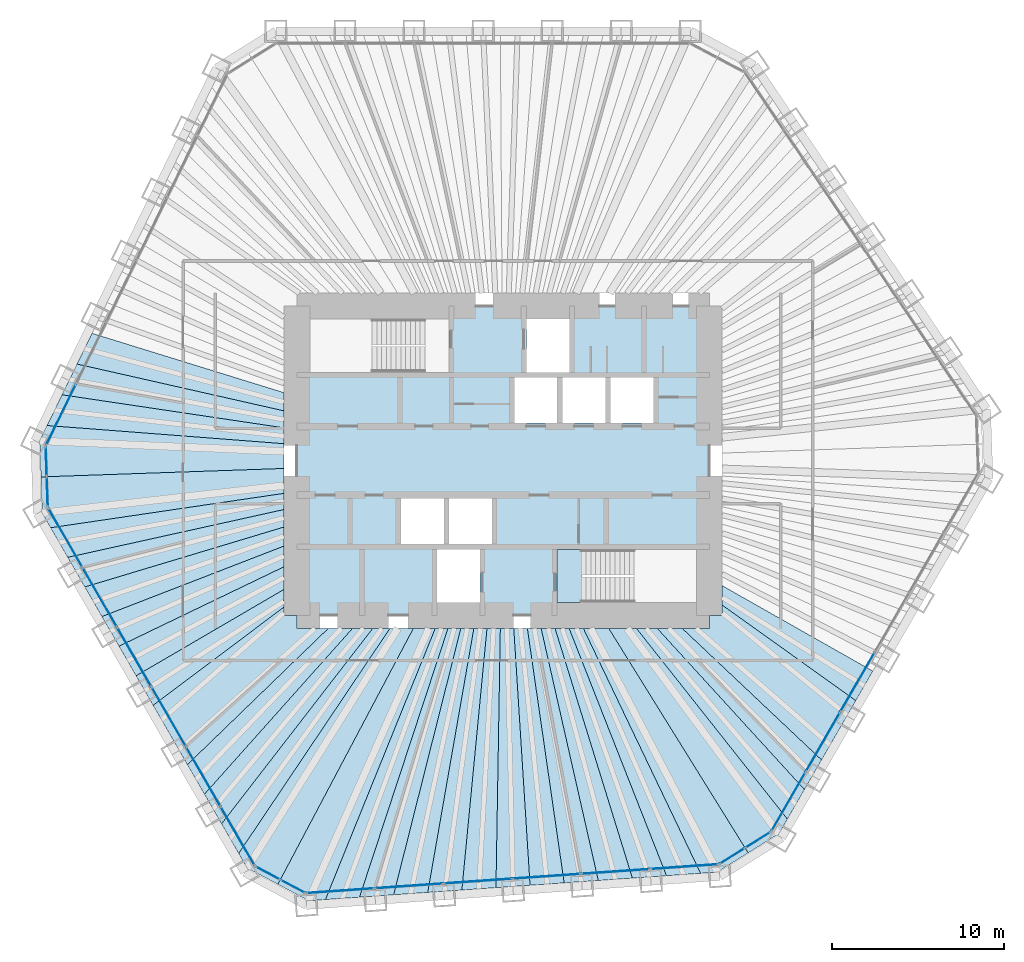
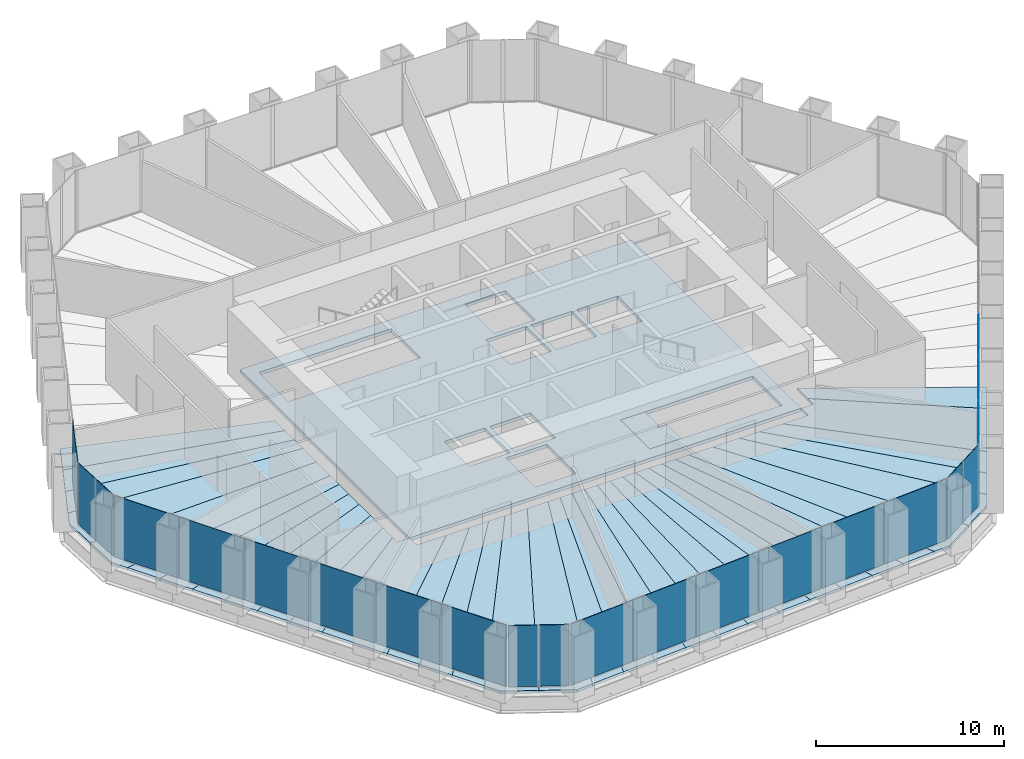
# One storey, part 8 of 13: 36 slabs, 22 plates, 8 elements without a shape of their own.
"""IFC4 building model written with IfcOpenShell, lengths in metres."""

import ifcopenshell
import ifcopenshell.guid

model = None  # the IFC model being written
_history = None  # IfcOwnerHistory: only IFC2X3 demands one
_inside = {}  # id of a spatial element -> (the spatial element, [elements in it])
_under = {}  # id of a project, library or spatial element -> (it, [spatial elements below it])
_declared = {}  # id of a project -> (the project, [libraries it declares])
_typed = {}  # id of a type object -> (the type object, [elements of that type])
_made_of = {}  # id of a material, layer set ... -> (it, [elements and type objects made of it])


def new_model(schema):
    """Start an empty IFC model of exactly this schema.

    Asked for "IFC4X3", IfcOpenShell would pick the latest addendum, in which some entities
    have other attributes; the version numbers below select the first issue.
    IFC2X3 requires an IfcOwnerHistory on every rooted entity: one is made here for all.
    """
    global model, _history
    if schema == "IFC4X3":
        model = ifcopenshell.file(schema_version=(4, 3, 0, 0))
    else:
        model = ifcopenshell.file(schema=schema)
    _inside.clear()
    _under.clear()
    _declared.clear()
    _typed.clear()
    _made_of.clear()
    _history = None
    if model.schema == "IFC2X3":
        org = make("IfcOrganization", Name="unknown")
        user = make(
            "IfcPersonAndOrganization",
            ThePerson=make("IfcPerson", FamilyName="unknown"),
            TheOrganization=org,
        )
        app = make(
            "IfcApplication",
            ApplicationDeveloper=org,
            Version="unknown",
            ApplicationFullName="unknown",
            ApplicationIdentifier="unknown",
        )
        _history = make(
            "IfcOwnerHistory",
            OwningUser=user,
            OwningApplication=app,
            ChangeAction="ADDED",
            CreationDate=0,
        )
    return model


def make(cls, **values):
    """One entity of the class cls with the attributes given. An attribute that is None is left unset."""
    return model.create_entity(
        cls, **{name: value for name, value in values.items() if value is not None}
    )


def rooted(cls, **values):
    """An entity with a GlobalId (a new one), such as an element, a storey or a relation."""
    return make(cls, GlobalId=ifcopenshell.guid.new(), OwnerHistory=_history, **values)


def si_unit(unit_type, name, prefix=None):
    """IfcSIUnit, for example si_unit("LENGTHUNIT", "METRE", prefix="MILLI")."""
    return make("IfcSIUnit", UnitType=unit_type, Prefix=prefix, Name=name)


def assignment(units):
    """IfcUnitAssignment: the units of a project."""
    return None if units is None else make("IfcUnitAssignment", Units=units)


def point(xyz):
    """IfcCartesianPoint."""
    return None if xyz is None else make("IfcCartesianPoint", Coordinates=xyz)


def direction(xyz):
    """IfcDirection."""
    return None if xyz is None else make("IfcDirection", DirectionRatios=xyz)


def frame(location, z_axis=None, x_axis=None):
    """IfcAxis2Placement3D, a coordinate frame: its origin and axes. An axis left out is left unset."""
    return make(
        "IfcAxis2Placement3D",
        Location=point(location),
        Axis=direction(z_axis),
        RefDirection=direction(x_axis),
    )


def frame_2d(location, x_axis=None):
    """IfcAxis2Placement2D, a coordinate frame in the plane: its origin and x axis."""
    return make(
        "IfcAxis2Placement2D", Location=point(location), RefDirection=direction(x_axis)
    )


def origin():
    """The frame at (0, 0, 0) with its axes left unset."""
    return frame((0.0, 0.0, 0.0))


def origin_2d():
    """The frame at (0, 0) in the plane with its x axis left unset."""
    return frame_2d((0.0, 0.0))


def place(relative_to, where):
    """IfcLocalPlacement: puts the frame where relative to a parent placement (None: the world)."""
    return make(
        "IfcLocalPlacement", PlacementRelTo=relative_to, RelativePlacement=where
    )


def context(
    kind, dimensions, precision=None, world=None, true_north=None, identifier=None
):
    """IfcGeometricRepresentationContext, for example the 3D "Model" context."""
    return make(
        "IfcGeometricRepresentationContext",
        ContextIdentifier=identifier,
        ContextType=kind,
        CoordinateSpaceDimension=dimensions,
        Precision=precision,
        WorldCoordinateSystem=world,
        TrueNorth=true_north,
    )


def subcontext(parent, identifier, kind, view, scale=None):
    """IfcGeometricRepresentationSubContext, for example "Body" below "Model"."""
    return make(
        "IfcGeometricRepresentationSubContext",
        ContextIdentifier=identifier,
        ContextType=kind,
        ParentContext=parent,
        TargetScale=scale,
        TargetView=view,
    )


def project(units=None, contexts=None):
    """IfcProject with its units and contexts."""
    return rooted(
        "IfcProject",
        Name="project",
        RepresentationContexts=contexts,
        UnitsInContext=assignment(units),
    )


def spatial(cls, under=None, at=None, **own):
    """A site, building, storey or space (cls), placed at a placement, below another one or the project."""
    s = rooted(cls, ObjectPlacement=at, **own)
    if under is not None:
        _under.setdefault(under.id(), (under, []))[1].append(s)
    return s


def polyline(points):
    """IfcPolyline through the points."""
    return make("IfcPolyline", Points=[point(p) for p in points])


def profile(cls, at=None, kind="AREA", **sizes):
    """A parametric profile (cls). Its sizes go by their IFC names, for example OverallWidth=200.0."""
    return make(cls, ProfileType=kind, Position=at, **sizes)


def rectangle(**sizes):
    """IfcRectangleProfileDef."""
    return profile("IfcRectangleProfileDef", **sizes)


def outline(outer, holes=None, kind="AREA"):
    """IfcArbitraryClosedProfileDef: a profile drawn as a closed curve; with holes, ...WithVoids."""
    if holes is None:
        return make("IfcArbitraryClosedProfileDef", ProfileType=kind, OuterCurve=outer)
    return make(
        "IfcArbitraryProfileDefWithVoids",
        ProfileType=kind,
        OuterCurve=outer,
        InnerCurves=holes,
    )


def extrude(swept, where, along, depth):
    """IfcExtrudedAreaSolid: the profile swept, set in the frame where, extruded along a direction by depth."""
    return make(
        "IfcExtrudedAreaSolid",
        SweptArea=swept,
        Position=where,
        ExtrudedDirection=direction(along),
        Depth=depth,
    )


def shape(context_of_items, identifier, shape_type, items):
    """IfcShapeRepresentation: the items that make up one representation, for example the "Body"."""
    return make(
        "IfcShapeRepresentation",
        ContextOfItems=context_of_items,
        RepresentationIdentifier=identifier,
        RepresentationType=shape_type,
        Items=items,
    )


def material(Name=None, Category=None):
    """IfcMaterial."""
    return make("IfcMaterial", Name=Name, Category=Category)


def layer(
    of_material, thickness, ventilated=None, Name=None, Category=None, Priority=None
):
    """IfcMaterialLayer: one layer of a wall or slab, of a material (None: an air gap)."""
    return make(
        "IfcMaterialLayer",
        Material=of_material,
        LayerThickness=thickness,
        IsVentilated=ventilated,
        Name=Name,
        Category=Category,
        Priority=Priority,
    )


def layer_set(layers, Name=None):
    """IfcMaterialLayerSet."""
    return make("IfcMaterialLayerSet", MaterialLayers=layers, LayerSetName=Name)


def made_of(thing, what):
    """Note that an element or type object is made of a material, layer set ...; save() writes the relation."""
    if what is not None:
        _made_of.setdefault(what.id(), (what, []))[1].append(thing)
    return thing


def type_object(cls, material=None, **own):
    """A type object (cls), such as IfcWallType, which elements share."""
    return made_of(rooted(cls, **own), material)


def element(
    cls,
    number,
    at=None,
    inside=None,
    cuts=None,
    type_object=None,
    material=None,
    context=None,
    identifier="Body",
    shape_type=None,
    held_by="IfcProductDefinitionShape",
    body=None,
    shapes=None,
    **own,
):
    """One element of the class cls, such as IfcWall. Its Tag is "e" and its number.

    at: its placement. inside: the storey or other place that contains it. cuts: it is an
    opening in that element (IfcRelVoidsElement). A single representation is given by context,
    identifier, shape_type and body (its items); several are given by shapes. held_by: the class
    of the entity that holds the representations. save() writes the other relations.
    """
    e = rooted(cls, Tag="e%d" % number, ObjectPlacement=at, **own)
    if body is not None:
        shapes = [shape(context, identifier, shape_type, body)]
    if shapes is not None:
        e.Representation = make(held_by, Representations=shapes)
    if inside is not None:
        _inside.setdefault(inside.id(), (inside, []))[1].append(e)
    if cuts is not None:
        rooted(
            "IfcRelVoidsElement", RelatingBuildingElement=cuts, RelatedOpeningElement=e
        )
    if type_object is not None:
        _typed.setdefault(type_object.id(), (type_object, []))[1].append(e)
    return made_of(e, material)


def aggregate(whole, parts):
    """IfcRelAggregates: a whole, such as a stair, and the parts it consists of."""
    return rooted("IfcRelAggregates", RelatingObject=whole, RelatedObjects=parts)


def save(model, path):
    """Write the relations noted so far, then the file.

    IfcRelAggregates (storeys below a building ...), IfcRelContainedInSpatialStructure (elements
    in a storey), IfcRelDefinesByType, IfcRelAssociatesMaterial and IfcRelDeclares: one each for
    every whole, place, type object, material and project.
    """
    for whole, parts in _under.values():
        aggregate(whole, parts)
    for where, things in _inside.values():
        rooted(
            "IfcRelContainedInSpatialStructure",
            RelatedElements=things,
            RelatingStructure=where,
        )
    for kind, things in _typed.values():
        rooted("IfcRelDefinesByType", RelatedObjects=things, RelatingType=kind)
    for what, things in _made_of.values():
        rooted("IfcRelAssociatesMaterial", RelatedObjects=things, RelatingMaterial=what)
    for by, libraries in _declared.values():
        rooted("IfcRelDeclares", RelatingContext=by, RelatedDefinitions=libraries)
    model.write(path)


model = new_model("IFC4")

# Units and contexts
model_context = context("Model", 3, precision=1e-05, world=origin(), true_north=direction((0.0, 1.0)))
body_context = subcontext(model_context, "Body", "Model", "MODEL_VIEW")
ifc_project = project(units=[si_unit("LENGTHUNIT", "METRE"), si_unit("AREAUNIT", "SQUARE_METRE"), si_unit("VOLUMEUNIT", "CUBIC_METRE"), si_unit("PLANEANGLEUNIT", "RADIAN"), si_unit("MASSUNIT", "GRAM", prefix="KILO")], contexts=[model_context])

# Site, building, storey
site_placement = place(None, origin())
site = spatial("IfcSite", under=ifc_project, at=site_placement, CompositionType="ELEMENT")
building_placement = place(site_placement, origin())
building = spatial("IfcBuilding", under=site, at=building_placement, Name="Qingtian Harvest Tower", CompositionType="ELEMENT")
storey_placement = place(building_placement, frame((0.0, 0.0, 132.39990234375)))
storey = spatial("IfcBuildingStorey", under=building, at=storey_placement, Name="L27", CompositionType="ELEMENT", Elevation=132.39990234375)

# Slabs
ifc_material_1 = material(Name="Concrete fc' 35 MPa", Category="concrete")
ifc_layer_1 = layer(ifc_material_1, 0.169921875)
ifc_layer_set_1 = layer_set([ifc_layer_1], Name="Composite floor slab FS17 170")
slab_type_1 = type_object("IfcSlabType", Name="Composite floor slab FS17 170", PredefinedType="FLOOR", material=ifc_layer_set_1)
slab_1_placement = place(storey_placement, frame((0.0, 0.0, -0.169921875)))
element("IfcSlab", 1, at=slab_1_placement, inside=storey, type_object=slab_type_1, Name="Floor slab L27 panel D01", PredefinedType="FLOOR", context=body_context, shape_type="SweptSolid", body=[
    extrude(outline(polyline([(-26.8935546875, -0.939208984375), (-12.75, -0.447998046875), (-12.75, -1.89599609375), (-26.333984375, -3.8984375), (-26.819580078125, -3.056884765625), (-26.8935546875, -0.939208984375)])), origin(), (0.0, 0.0, 1.0), 0.169921875),
])
slab_2_placement = place(storey_placement, frame((0.0, 0.0, -0.169921875)))
element("IfcSlab", 2, at=slab_2_placement, inside=storey, type_object=slab_type_1, Name="Floor slab L27 panel D02", PredefinedType="FLOOR", context=body_context, shape_type="SweptSolid", body=[
    extrude(outline(polyline([(-12.75, -2.838134765625), (-25.3388671875, -5.62158203125), (-26.333984375, -3.8984375), (-12.75, -1.89599609375), (-12.75, -2.838134765625)])), origin(), (0.0, 0.0, 1.0), 0.169921875),
])
slab_3_placement = place(storey_placement, frame((0.0, 0.0, -0.169921875)))
element("IfcSlab", 3, at=slab_3_placement, inside=storey, type_object=slab_type_1, Name="Floor slab L27 panel D03", PredefinedType="FLOOR", context=body_context, shape_type="SweptSolid", body=[
    extrude(outline(polyline([(-12.75, -3.857666015625), (-24.343994140625, -7.344970703125), (-25.3388671875, -5.62158203125), (-12.75, -2.838134765625), (-12.75, -3.857666015625)])), origin(), (0.0, 0.0, 1.0), 0.169921875),
])
slab_4_placement = place(storey_placement, frame((0.0, 0.0, -0.169921875)))
element("IfcSlab", 4, at=slab_4_placement, inside=storey, type_object=slab_type_1, Name="Floor slab L27 panel D04", PredefinedType="FLOOR", context=body_context, shape_type="SweptSolid", body=[
    extrude(outline(polyline([(-12.75, -4.9638671875), (-23.34912109375, -9.068115234375), (-24.343994140625, -7.344970703125), (-12.75, -3.857666015625), (-12.75, -4.9638671875)])), origin(), (0.0, 0.0, 1.0), 0.169921875),
])
slab_5_placement = place(storey_placement, frame((0.0, 0.0, -0.169921875)))
element("IfcSlab", 5, at=slab_5_placement, inside=storey, type_object=slab_type_1, Name="Floor slab L27 panel D05", PredefinedType="FLOOR", context=body_context, shape_type="SweptSolid", body=[
    extrude(outline(polyline([(-12.75, -6.1689453125), (-22.354248046875, -10.79150390625), (-23.34912109375, -9.068115234375), (-12.75, -4.9638671875), (-12.75, -6.1689453125)])), origin(), (0.0, 0.0, 1.0), 0.169921875),
])
slab_6_placement = place(storey_placement, frame((0.0, 0.0, -0.169921875)))
element("IfcSlab", 6, at=slab_6_placement, inside=storey, type_object=slab_type_1, Name="Floor slab L27 panel D06", PredefinedType="FLOOR", context=body_context, shape_type="SweptSolid", body=[
    extrude(outline(polyline([(-12.75, -7.486328125), (-21.359130859375, -12.5146484375), (-22.354248046875, -10.79150390625), (-12.75, -6.1689453125), (-12.75, -7.486328125)])), origin(), (0.0, 0.0, 1.0), 0.169921875),
])
slab_7_placement = place(storey_placement, frame((0.0, 0.0, -0.169921875)))
element("IfcSlab", 7, at=slab_7_placement, inside=storey, type_object=slab_type_1, Name="Floor slab L27 panel D07", PredefinedType="FLOOR", context=body_context, shape_type="SweptSolid", body=[
    extrude(outline(polyline([(-12.75, -8.512451171875), (-20.36865234375, -14.23046875), (-21.359130859375, -12.5146484375), (-12.75, -7.486328125), (-12.75, -8.512451171875)])), origin(), (0.0, 0.0, 1.0), 0.169921875),
])
slab_8_placement = place(storey_placement, frame((0.0, 0.0, -0.169921875)))
element("IfcSlab", 8, at=slab_8_placement, inside=storey, type_object=slab_type_1, Name="Floor slab L27 panel D09", PredefinedType="FLOOR", context=body_context, shape_type="SweptSolid", body=[
    extrude(outline(polyline([(-18.375, -17.683837890625), (-20.36865234375, -14.23046875), (-12.75, -8.512451171875), (-12.75, -9.0), (-12.0, -9.0), (-12.0, -9.75), (-10.168212890625, -9.75), (-18.375, -17.683837890625)])), origin(), (0.0, 0.0, 1.0), 0.169921875),
])
slab_9_placement = place(storey_placement, frame((0.0, 0.0, -0.169921875)))
element("IfcSlab", 9, at=slab_9_placement, inside=storey, type_object=slab_type_1, Name="Floor slab L27 panel D10", PredefinedType="FLOOR", context=body_context, shape_type="SweptSolid", body=[
    extrude(outline(polyline([(-8.759521484375, -9.75), (-17.3798828125, -19.4072265625), (-18.375, -17.683837890625), (-10.168212890625, -9.75), (-8.759521484375, -9.75)])), origin(), (0.0, 0.0, 1.0), 0.169921875),
])
slab_10_placement = place(storey_placement, frame((0.0, 0.0, -0.169921875)))
element("IfcSlab", 10, at=slab_10_placement, inside=storey, type_object=slab_type_1, Name="Floor slab L27 panel D11", PredefinedType="FLOOR", context=body_context, shape_type="SweptSolid", body=[
    extrude(outline(polyline([(-7.58203125, -9.75), (-16.385009765625, -21.13037109375), (-17.3798828125, -19.4072265625), (-8.759521484375, -9.75), (-7.58203125, -9.75)])), origin(), (0.0, 0.0, 1.0), 0.169921875),
])
slab_11_placement = place(storey_placement, frame((0.0, 0.0, -0.169921875)))
element("IfcSlab", 11, at=slab_11_placement, inside=storey, type_object=slab_type_1, Name="Floor slab L27 panel D12", PredefinedType="FLOOR", context=body_context, shape_type="SweptSolid", body=[
    extrude(outline(polyline([(-6.5830078125, -9.75), (-15.389892578125, -22.853759765625), (-16.385009765625, -21.13037109375), (-7.58203125, -9.75), (-6.5830078125, -9.75)])), origin(), (0.0, 0.0, 1.0), 0.169921875),
])
slab_12_placement = place(storey_placement, frame((0.0, 0.0, -0.169921875)))
element("IfcSlab", 12, at=slab_12_placement, inside=storey, type_object=slab_type_1, Name="Floor slab L27 panel D13", PredefinedType="FLOOR", context=body_context, shape_type="SweptSolid", body=[
    extrude(outline(polyline([(-6.5830078125, -9.75), (-5.21875, -9.75), (-13.107421875, -24.650634765625), (-14.904052734375, -23.6953125), (-15.389892578125, -22.853759765625), (-6.5830078125, -9.75)])), origin(), (0.0, 0.0, 1.0), 0.169921875),
])
slab_13_placement = place(storey_placement, frame((0.0, 0.0, -0.169921875)))
element("IfcSlab", 13, at=slab_13_placement, inside=storey, type_object=slab_type_1, Name="Floor slab L27 panel D14", PredefinedType="FLOOR", context=body_context, shape_type="SweptSolid", body=[
    extrude(outline(polyline([(-5.21875, -9.75), (-3.947021484375, -9.75), (-10.3408203125, -25.53857421875), (-11.31005859375, -25.606201171875), (-13.107421875, -24.650634765625), (-5.21875, -9.75)])), origin(), (0.0, 0.0, 1.0), 0.169921875),
])
slab_14_placement = place(storey_placement, frame((0.0, 0.0, -0.169921875)))
element("IfcSlab", 14, at=slab_14_placement, inside=storey, type_object=slab_type_1, Name="Floor slab L27 panel D15", PredefinedType="FLOOR", context=body_context, shape_type="SweptSolid", body=[
    extrude(outline(polyline([(-3.20654296875, -9.75), (-8.35595703125, -25.399658203125), (-10.3408203125, -25.53857421875), (-3.947021484375, -9.75), (-3.20654296875, -9.75)])), origin(), (0.0, 0.0, 1.0), 0.169921875),
])
slab_15_placement = place(storey_placement, frame((0.0, 0.0, -0.169921875)))
element("IfcSlab", 15, at=slab_15_placement, inside=storey, type_object=slab_type_1, Name="Floor slab L27 panel D16", PredefinedType="FLOOR", context=body_context, shape_type="SweptSolid", body=[
    extrude(outline(polyline([(-2.4580078125, -9.75), (-6.370849609375, -25.260986328125), (-8.35595703125, -25.399658203125), (-3.20654296875, -9.75), (-2.4580078125, -9.75)])), origin(), (0.0, 0.0, 1.0), 0.169921875),
])
slab_16_placement = place(storey_placement, frame((0.0, 0.0, -0.169921875)))
element("IfcSlab", 16, at=slab_16_placement, inside=storey, type_object=slab_type_1, Name="Floor slab L27 panel D17", PredefinedType="FLOOR", context=body_context, shape_type="SweptSolid", body=[
    extrude(outline(polyline([(-1.701171875, -9.75), (-4.385986328125, -25.1220703125), (-6.370849609375, -25.260986328125), (-2.4580078125, -9.75), (-1.701171875, -9.75)])), origin(), (0.0, 0.0, 1.0), 0.169921875),
])
slab_17_placement = place(storey_placement, frame((0.0, 0.0, -0.169921875)))
element("IfcSlab", 17, at=slab_17_placement, inside=storey, type_object=slab_type_1, Name="Floor slab L27 panel D18", PredefinedType="FLOOR", context=body_context, shape_type="SweptSolid", body=[
    extrude(outline(polyline([(-0.93603515625, -9.75), (-2.40087890625, -24.9833984375), (-4.385986328125, -25.1220703125), (-1.701171875, -9.75), (-0.93603515625, -9.75)])), origin(), (0.0, 0.0, 1.0), 0.169921875),
])
slab_18_placement = place(storey_placement, frame((0.0, 0.0, -0.169921875)))
element("IfcSlab", 18, at=slab_18_placement, inside=storey, type_object=slab_type_1, Name="Floor slab L27 panel D19", PredefinedType="FLOOR", context=body_context, shape_type="SweptSolid", body=[
    extrude(outline(polyline([(-0.162109375, -9.75), (-0.416015625, -24.844482421875), (-2.40087890625, -24.9833984375), (-0.93603515625, -9.75), (-0.162109375, -9.75)])), origin(), (0.0, 0.0, 1.0), 0.169921875),
])
slab_19_placement = place(storey_placement, frame((0.0, 0.0, -0.169921875)))
element("IfcSlab", 19, at=slab_19_placement, inside=storey, type_object=slab_type_1, Name="Floor slab L27 panel D20", PredefinedType="FLOOR", context=body_context, shape_type="SweptSolid", body=[
    extrude(outline(polyline([(0.620361328125, -9.75), (1.569091796875, -24.705810546875), (-0.416015625, -24.844482421875), (-0.162109375, -9.75), (0.620361328125, -9.75)])), origin(), (0.0, 0.0, 1.0), 0.169921875),
])
slab_20_placement = place(storey_placement, frame((0.0, 0.0, -0.169921875)))
element("IfcSlab", 20, at=slab_20_placement, inside=storey, type_object=slab_type_1, Name="Floor slab L27 panel D21", PredefinedType="FLOOR", context=body_context, shape_type="SweptSolid", body=[
    extrude(outline(polyline([(1.41162109375, -9.75), (3.553955078125, -24.56689453125), (1.569091796875, -24.705810546875), (0.620361328125, -9.75), (1.41162109375, -9.75)])), origin(), (0.0, 0.0, 1.0), 0.169921875),
])
slab_21_placement = place(storey_placement, frame((0.0, 0.0, -0.169921875)))
element("IfcSlab", 21, at=slab_21_placement, inside=storey, type_object=slab_type_1, Name="Floor slab L27 panel D22", PredefinedType="FLOOR", context=body_context, shape_type="SweptSolid", body=[
    extrude(outline(polyline([(2.2119140625, -9.75), (5.5390625, -24.42822265625), (3.553955078125, -24.56689453125), (1.41162109375, -9.75), (2.2119140625, -9.75)])), origin(), (0.0, 0.0, 1.0), 0.169921875),
])
slab_22_placement = place(storey_placement, frame((0.0, 0.0, -0.169921875)))
element("IfcSlab", 22, at=slab_22_placement, inside=storey, type_object=slab_type_1, Name="Floor slab L27 panel D23", PredefinedType="FLOOR", context=body_context, shape_type="SweptSolid", body=[
    extrude(outline(polyline([(3.021484375, -9.75), (7.524169921875, -24.289306640625), (5.5390625, -24.42822265625), (2.2119140625, -9.75), (3.021484375, -9.75)])), origin(), (0.0, 0.0, 1.0), 0.169921875),
])
slab_23_placement = place(storey_placement, frame((0.0, 0.0, -0.169921875)))
element("IfcSlab", 23, at=slab_23_placement, inside=storey, type_object=slab_type_1, Name="Floor slab L27 panel D24", PredefinedType="FLOOR", context=body_context, shape_type="SweptSolid", body=[
    extrude(outline(polyline([(3.840087890625, -9.75), (9.509033203125, -24.150390625), (7.524169921875, -24.289306640625), (3.021484375, -9.75), (3.840087890625, -9.75)])), origin(), (0.0, 0.0, 1.0), 0.169921875),
])
slab_24_placement = place(storey_placement, frame((0.0, 0.0, -0.169921875)))
element("IfcSlab", 24, at=slab_24_placement, inside=storey, type_object=slab_type_1, Name="Floor slab L27 panel D25", PredefinedType="FLOOR", context=body_context, shape_type="SweptSolid", body=[
    extrude(outline(polyline([(4.66845703125, -9.75), (11.494140625, -24.01171875), (9.509033203125, -24.150390625), (3.840087890625, -9.75), (4.66845703125, -9.75)])), origin(), (0.0, 0.0, 1.0), 0.169921875),
])
slab_25_placement = place(storey_placement, frame((0.0, 0.0, -0.169921875)))
element("IfcSlab", 25, at=slab_25_placement, inside=storey, type_object=slab_type_1, Name="Floor slab L27 panel D26", PredefinedType="FLOOR", context=body_context, shape_type="SweptSolid", body=[
    extrude(outline(polyline([(4.66845703125, -9.75), (6.14404296875, -9.75), (14.2607421875, -22.820556640625), (12.463134765625, -23.94384765625), (11.494140625, -24.01171875), (4.66845703125, -9.75)])), origin(), (0.0, 0.0, 1.0), 0.169921875),
])
slab_26_placement = place(storey_placement, frame((0.0, 0.0, -0.169921875)))
element("IfcSlab", 26, at=slab_26_placement, inside=storey, type_object=slab_type_1, Name="Floor slab L27 panel D27", PredefinedType="FLOOR", context=body_context, shape_type="SweptSolid", body=[
    extrude(outline(polyline([(6.14404296875, -9.75), (7.756103515625, -9.75), (16.543212890625, -20.8564453125), (16.05712890625, -21.697998046875), (14.2607421875, -22.820556640625), (6.14404296875, -9.75)])), origin(), (0.0, 0.0, 1.0), 0.169921875),
])
slab_27_placement = place(storey_placement, frame((0.0, 0.0, -0.169921875)))
element("IfcSlab", 27, at=slab_27_placement, inside=storey, type_object=slab_type_1, Name="Floor slab L27 panel D28", PredefinedType="FLOOR", context=body_context, shape_type="SweptSolid", body=[
    extrude(outline(polyline([(8.966552734375, -9.75), (17.5380859375, -19.133056640625), (16.543212890625, -20.8564453125), (7.756103515625, -9.75), (8.966552734375, -9.75)])), origin(), (0.0, 0.0, 1.0), 0.169921875),
])
slab_28_placement = place(storey_placement, frame((0.0, 0.0, -0.169921875)))
element("IfcSlab", 28, at=slab_28_placement, inside=storey, type_object=slab_type_1, Name="Floor slab L27 panel D29", PredefinedType="FLOOR", context=body_context, shape_type="SweptSolid", body=[
    extrude(outline(polyline([(10.41796875, -9.75), (18.532958984375, -17.40966796875), (17.5380859375, -19.133056640625), (8.966552734375, -9.75), (10.41796875, -9.75)])), origin(), (0.0, 0.0, 1.0), 0.169921875),
])
slab_29_placement = place(storey_placement, frame((0.0, 0.0, -0.169921875)))
element("IfcSlab", 29, at=slab_29_placement, inside=storey, type_object=slab_type_1, Name="Floor slab L27 panel D31", PredefinedType="FLOOR", context=body_context, shape_type="SweptSolid", body=[
    extrude(outline(polyline([(12.75, -8.398681640625), (20.525390625, -13.958740234375), (18.532958984375, -17.40966796875), (10.41796875, -9.75), (12.0, -9.75), (12.0, -9.0), (12.75, -9.0), (12.75, -8.398681640625)])), origin(), (0.0, 0.0, 1.0), 0.169921875),
])
slab_30_placement = place(storey_placement, frame((0.0, 0.0, -0.169921875)))
element("IfcSlab", 30, at=slab_30_placement, inside=storey, type_object=slab_type_1, Name="Floor slab L27 panel D32", PredefinedType="FLOOR", context=body_context, shape_type="SweptSolid", body=[
    extrude(outline(polyline([(12.75, -7.268798828125), (21.517333984375, -12.24072265625), (20.525390625, -13.958740234375), (12.75, -8.398681640625), (12.75, -7.268798828125)])), origin(), (0.0, 0.0, 1.0), 0.169921875),
])
slab_31_placement = place(storey_placement, frame((0.0, 0.0, -0.169921875)))
element("IfcSlab", 31, at=slab_31_placement, inside=storey, type_object=slab_type_1, Name="Floor slab L27 panel D75", PredefinedType="FLOOR", context=body_context, shape_type="SweptSolid", body=[
    extrude(outline(polyline([(-12.75, 2.903076171875), (-24.797119140625, 5.62890625), (-23.9248046875, 7.417236328125), (-12.75, 3.962646484375), (-12.75, 2.903076171875)])), origin(), (0.0, 0.0, 1.0), 0.169921875),
])
slab_32_placement = place(storey_placement, frame((0.0, 0.0, -0.169921875)))
element("IfcSlab", 32, at=slab_32_placement, inside=storey, type_object=slab_type_1, Name="Floor slab L27 panel D76", PredefinedType="FLOOR", context=body_context, shape_type="SweptSolid", body=[
    extrude(outline(polyline([(-12.75, 1.91552734375), (-25.66943359375, 3.84033203125), (-24.797119140625, 5.62890625), (-12.75, 2.903076171875), (-12.75, 1.91552734375)])), origin(), (0.0, 0.0, 1.0), 0.169921875),
])
slab_33_placement = place(storey_placement, frame((0.0, 0.0, -0.169921875)))
element("IfcSlab", 33, at=slab_33_placement, inside=storey, type_object=slab_type_1, Name="Floor slab L27 panel D77", PredefinedType="FLOOR", context=body_context, shape_type="SweptSolid", body=[
    extrude(outline(polyline([(-12.75, 0.992919921875), (-26.541748046875, 2.0517578125), (-25.66943359375, 3.84033203125), (-12.75, 1.91552734375), (-12.75, 0.992919921875)])), origin(), (0.0, 0.0, 1.0), 0.169921875),
])
slab_34_placement = place(storey_placement, frame((0.0, 0.0, -0.169921875)))
element("IfcSlab", 34, at=slab_34_placement, inside=storey, type_object=slab_type_1, Name="Floor slab L27 panel D78", PredefinedType="FLOOR", context=body_context, shape_type="SweptSolid", body=[
    extrude(outline(polyline([(-12.75, 0.992919921875), (-12.75, -0.447998046875), (-26.8935546875, -0.939208984375), (-26.967529296875, 1.1787109375), (-26.541748046875, 2.0517578125), (-12.75, 0.992919921875)])), origin(), (0.0, 0.0, 1.0), 0.169921875),
])
ifc_material_2 = material(Name="Concrete fc' 35 MPa", Category="concrete")
ifc_layer_2 = layer(ifc_material_2, 0.219970703125)
ifc_layer_set_2 = layer_set([ifc_layer_2], Name="Core floor slab CS22 220")
slab_type_2 = type_object("IfcSlabType", Name="Core floor slab CS22 220", PredefinedType="FLOOR", material=ifc_layer_set_2)
slab_35_placement = place(storey_placement, frame((0.0, 0.0, -0.219970703125)))
element("IfcSlab", 35, at=slab_35_placement, inside=storey, type_object=slab_type_2, Name="Core floor slab L27", PredefinedType="FLOOR", context=body_context, shape_type="SweptSolid", body=[
    extrude(outline(polyline([(-12.0, -9.0), (12.0, -9.0), (12.0, 9.0), (-12.0, 9.0), (-12.0, -9.0)]), holes=[polyline([(-11.25, 5.14990234375), (-3.14990234375, 5.14990234375), (-3.14990234375, 8.25), (-11.25, 8.25), (-11.25, 5.14990234375)]), polyline([(3.14990234375, -8.25), (11.25, -8.25), (11.25, -5.14990234375), (3.14990234375, -5.14990234375), (3.14990234375, -8.25)]), polyline([(1.35009765625, 5.14990234375), (3.85009765625, 5.14990234375), (3.85009765625, 8.25), (1.35009765625, 8.25), (1.35009765625, 5.14990234375)]), polyline([(-3.85009765625, -8.25), (-1.35009765625, -8.25), (-1.35009765625, -5.14990234375), (-3.85009765625, -5.14990234375), (-3.85009765625, -8.25)]), polyline([(0.64990234375, 2.199951171875), (3.14990234375, 2.199951171875), (3.14990234375, 4.85009765625), (0.64990234375, 4.85009765625), (0.64990234375, 2.199951171875)]), polyline([(3.449951171875, 2.199951171875), (5.949951171875, 2.199951171875), (5.949951171875, 4.85009765625), (3.449951171875, 4.85009765625), (3.449951171875, 2.199951171875)]), polyline([(6.25, 2.199951171875), (8.75, 2.199951171875), (8.75, 4.85009765625), (6.25, 4.85009765625), (6.25, 2.199951171875)]), polyline([(-5.949951171875, -4.85009765625), (-3.449951171875, -4.85009765625), (-3.449951171875, -2.199951171875), (-5.949951171875, -2.199951171875), (-5.949951171875, -4.85009765625)]), polyline([(-3.14990234375, -4.85009765625), (-0.64990234375, -4.85009765625), (-0.64990234375, -2.199951171875), (-3.14990234375, -2.199951171875), (-3.14990234375, -4.85009765625)])]), origin(), (0.0, 0.0, 1.0), 0.219970703125),
])

# Curtain wall, plates
ifc_material_3 = material(Name="Bronze-anodised aluminium curtain wall", Category="aluminium")
curtain_wall_type = type_object("IfcCurtainWallType", Name="Curtain wall CW4 office", PredefinedType="USERDEFINED", material=ifc_material_3)
curtain_wall_1_placement = place(storey_placement, origin())
curtain_wall_1 = element("IfcCurtainWall", 36, at=curtain_wall_1_placement, inside=storey, type_object=curtain_wall_type, Name="Curtain wall CW4 L27 SE0-5", ObjectType="RECESSED CURTAIN WALL", PredefinedType="USERDEFINED")
ifc_material_4 = material(Name="Bronze-tinted laminated insulating glass", Category="glass")
ifc_layer_3 = layer(ifc_material_4, 0.030029296875)
ifc_layer_set_3 = layer_set([ifc_layer_3], Name="Glazed panel CWP tinted IGU")
plate_type = type_object("IfcPlateType", Name="Glazed panel CWP tinted IGU", PredefinedType="CURTAIN_PANEL", material=ifc_layer_set_3)
plate_1_placement = place(storey_placement, frame((20.621826171875, -12.8818359375, 0.06494140625), z_axis=(0.0, 0.0, 1.0), x_axis=(-0.5, -0.866025403784, 0.0)))
plate_1 = element("IfcPlate", 37, at=plate_1_placement, type_object=plate_type, Name="CW4 panel 4.1", PredefinedType="CURTAIN_PANEL", context=body_context, shape_type="SweptSolid", body=[
    extrude(rectangle(XDim=3.9541015625, YDim=0.030029296875, at=origin_2d()), origin(), (0.0, 0.0, 1.0), 3.965087890625),
])
plate_2_placement = place(storey_placement, frame((18.6123046875, -16.362548828125, 0.06494140625), z_axis=(0.0, 0.0, 1.0), x_axis=(-0.5, -0.866025403784, 0.0)))
plate_2 = element("IfcPlate", 38, at=plate_2_placement, type_object=plate_type, Name="CW4 panel 5.1", PredefinedType="CURTAIN_PANEL", context=body_context, shape_type="SweptSolid", body=[
    extrude(rectangle(XDim=3.9541015625, YDim=0.030029296875, at=origin_2d()), origin(), (0.0, 0.0, 1.0), 3.965087890625),
])
plate_3_placement = place(storey_placement, frame((16.61083984375, -19.8291015625, 0.06494140625), z_axis=(0.0, 0.0, 1.0), x_axis=(-0.5, -0.866025403784, 0.0)))
plate_3 = element("IfcPlate", 39, at=plate_3_placement, type_object=plate_type, Name="CW4 panel 6.1", PredefinedType="CURTAIN_PANEL", context=body_context, shape_type="SweptSolid", body=[
    extrude(rectangle(XDim=3.921630859375, YDim=0.030029296875, at=origin_2d()), origin(), (0.0, 0.0, 1.0), 3.965087890625),
])
aggregate(curtain_wall_1, [plate_1, plate_2, plate_3])

curtain_wall_2_placement = place(storey_placement, origin())
curtain_wall_2 = element("IfcCurtainWall", 40, at=curtain_wall_2_placement, inside=storey, type_object=curtain_wall_type, Name="Curtain wall CW4 L27 SEC", ObjectType="RECESSED CURTAIN WALL", PredefinedType="USERDEFINED")
plate_4_placement = place(storey_placement, frame((14.8251953125, -22.06640625, 0.06494140625), z_axis=(0.0, 0.0, 1.0), x_axis=(-0.848048096156, -0.529919264233, 0.0)))
plate_4 = element("IfcPlate", 41, at=plate_4_placement, type_object=plate_type, Name="CW4 panel 1.1", PredefinedType="CURTAIN_PANEL", context=body_context, shape_type="SweptSolid", body=[
    extrude(rectangle(XDim=1.69287109375, YDim=0.030029296875, at=origin_2d()), origin(), (0.0, 0.0, 1.0), 3.965087890625),
])
plate_5_placement = place(storey_placement, frame((13.334228515625, -22.998046875, 0.06494140625), z_axis=(0.0, 0.0, 1.0), x_axis=(-0.848048096156, -0.529919264233, 0.0)))
plate_5 = element("IfcPlate", 42, at=plate_5_placement, type_object=plate_type, Name="CW4 panel 2.1", PredefinedType="CURTAIN_PANEL", context=body_context, shape_type="SweptSolid", body=[
    extrude(rectangle(XDim=1.69287109375, YDim=0.030029296875, at=origin_2d()), origin(), (0.0, 0.0, 1.0), 3.965087890625),
])
aggregate(curtain_wall_2, [plate_4, plate_5])

curtain_wall_3_placement = place(storey_placement, origin())
curtain_wall_3 = element("IfcCurtainWall", 43, at=curtain_wall_3_placement, inside=storey, type_object=curtain_wall_type, Name="Curtain wall CW4 L27 S0-5", ObjectType="RECESSED CURTAIN WALL", PredefinedType="USERDEFINED")
plate_6_placement = place(storey_placement, frame((10.54052734375, -23.622314453125, 0.06494140625), z_axis=(0.0, 0.0, 1.0), x_axis=(-0.99756405026, -0.069756473744, 0.0)))
plate_6 = element("IfcPlate", 44, at=plate_6_placement, type_object=plate_type, Name="CW4 panel 1.1", PredefinedType="CURTAIN_PANEL", context=body_context, shape_type="SweptSolid", body=[
    extrude(rectangle(XDim=3.921630859375, YDim=0.030029296875, at=origin_2d()), origin(), (0.0, 0.0, 1.0), 3.965087890625),
])
plate_7_placement = place(storey_placement, frame((6.54736328125, -23.901611328125, 0.06494140625), z_axis=(0.0, 0.0, 1.0), x_axis=(-0.99756405026, -0.069756473744, 0.0)))
plate_7 = element("IfcPlate", 45, at=plate_7_placement, type_object=plate_type, Name="CW4 panel 2.1", PredefinedType="CURTAIN_PANEL", context=body_context, shape_type="SweptSolid", body=[
    extrude(rectangle(XDim=3.9541015625, YDim=0.030029296875, at=origin_2d()), origin(), (0.0, 0.0, 1.0), 3.965087890625),
])
plate_8_placement = place(storey_placement, frame((2.5380859375, -24.181884765625, 0.06494140625), z_axis=(0.0, 0.0, 1.0), x_axis=(-0.99756405026, -0.069756473744, 0.0)))
plate_8 = element("IfcPlate", 46, at=plate_8_placement, type_object=plate_type, Name="CW4 panel 3.1", PredefinedType="CURTAIN_PANEL", context=body_context, shape_type="SweptSolid", body=[
    extrude(rectangle(XDim=3.9541015625, YDim=0.030029296875, at=origin_2d()), origin(), (0.0, 0.0, 1.0), 3.965087890625),
])
plate_9_placement = place(storey_placement, frame((-1.47119140625, -24.462158203125, 0.06494140625), z_axis=(0.0, 0.0, 1.0), x_axis=(-0.99756405026, -0.069756473744, 0.0)))
plate_9 = element("IfcPlate", 47, at=plate_9_placement, type_object=plate_type, Name="CW4 panel 4.1", PredefinedType="CURTAIN_PANEL", context=body_context, shape_type="SweptSolid", body=[
    extrude(rectangle(XDim=3.9541015625, YDim=0.030029296875, at=origin_2d()), origin(), (0.0, 0.0, 1.0), 3.965087890625),
])
plate_10_placement = place(storey_placement, frame((-5.48046875, -24.74267578125, 0.06494140625), z_axis=(0.0, 0.0, 1.0), x_axis=(-0.99756405026, -0.069756473744, 0.0)))
plate_10 = element("IfcPlate", 48, at=plate_10_placement, type_object=plate_type, Name="CW4 panel 5.1", PredefinedType="CURTAIN_PANEL", context=body_context, shape_type="SweptSolid", body=[
    extrude(rectangle(XDim=3.9541015625, YDim=0.030029296875, at=origin_2d()), origin(), (0.0, 0.0, 1.0), 3.965087890625),
])
plate_11_placement = place(storey_placement, frame((-9.4736328125, -25.021728515625, 0.06494140625), z_axis=(0.0, 0.0, 1.0), x_axis=(-0.99756405026, -0.069756473744, 0.0)))
plate_11 = element("IfcPlate", 49, at=plate_11_placement, type_object=plate_type, Name="CW4 panel 6.1", PredefinedType="CURTAIN_PANEL", context=body_context, shape_type="SweptSolid", body=[
    extrude(rectangle(XDim=3.921630859375, YDim=0.030029296875, at=origin_2d()), origin(), (0.0, 0.0, 1.0), 3.965087890625),
])
aggregate(curtain_wall_3, [plate_6, plate_7, plate_8, plate_9, plate_10, plate_11])

curtain_wall_4_placement = place(storey_placement, origin())
curtain_wall_4 = element("IfcCurtainWall", 50, at=curtain_wall_4_placement, inside=storey, type_object=curtain_wall_type, Name="Curtain wall CW4 L27 SC", ObjectType="RECESSED CURTAIN WALL", PredefinedType="USERDEFINED")
plate_12_placement = place(storey_placement, frame((-12.24365234375, -24.764892578125, 0.06494140625), z_axis=(0.0, 0.0, 1.0), x_axis=(-0.882947592859, 0.469471562786, 0.0)))
plate_12 = element("IfcPlate", 51, at=plate_12_placement, type_object=plate_type, Name="CW4 panel 1.1", PredefinedType="CURTAIN_PANEL", context=body_context, shape_type="SweptSolid", body=[
    extrude(rectangle(XDim=1.56689453125, YDim=0.030029296875, at=origin_2d()), origin(), (0.0, 0.0, 1.0), 3.965087890625),
])
plate_13_placement = place(storey_placement, frame((-13.684326171875, -23.998779296875, 0.06494140625), z_axis=(0.0, 0.0, 1.0), x_axis=(-0.882947592859, 0.469471562786, 0.0)))
plate_13 = element("IfcPlate", 52, at=plate_13_placement, type_object=plate_type, Name="CW4 panel 2.1", PredefinedType="CURTAIN_PANEL", context=body_context, shape_type="SweptSolid", body=[
    extrude(rectangle(XDim=1.56689453125, YDim=0.030029296875, at=origin_2d()), origin(), (0.0, 0.0, 1.0), 3.965087890625),
])
aggregate(curtain_wall_4, [plate_12, plate_13])

curtain_wall_5_placement = place(storey_placement, origin())
curtain_wall_5 = element("IfcCurtainWall", 53, at=curtain_wall_5_placement, inside=storey, type_object=curtain_wall_type, Name="Curtain wall CW4 L27 SW0-5", ObjectType="RECESSED CURTAIN WALL", PredefinedType="USERDEFINED")
plate_14_placement = place(storey_placement, frame((-15.446533203125, -21.845947265625, 0.06494140625), z_axis=(0.0, 0.0, 1.0), x_axis=(-0.5, 0.866025403784, 0.0)))
plate_14 = element("IfcPlate", 54, at=plate_14_placement, type_object=plate_type, Name="CW4 panel 1.1", PredefinedType="CURTAIN_PANEL", context=body_context, shape_type="SweptSolid", body=[
    extrude(rectangle(XDim=3.921630859375, YDim=0.030029296875, at=origin_2d()), origin(), (0.0, 0.0, 1.0), 3.965087890625),
])
plate_15_placement = place(storey_placement, frame((-17.44775390625, -18.37939453125, 0.06494140625), z_axis=(0.0, 0.0, 1.0), x_axis=(-0.5, 0.866025403784, 0.0)))
plate_15 = element("IfcPlate", 55, at=plate_15_placement, type_object=plate_type, Name="CW4 panel 2.1", PredefinedType="CURTAIN_PANEL", context=body_context, shape_type="SweptSolid", body=[
    extrude(rectangle(XDim=3.9541015625, YDim=0.030029296875, at=origin_2d()), origin(), (0.0, 0.0, 1.0), 3.965087890625),
])
plate_16_placement = place(storey_placement, frame((-19.45751953125, -14.898681640625, 0.06494140625), z_axis=(0.0, 0.0, 1.0), x_axis=(-0.5, 0.866025403784, 0.0)))
plate_16 = element("IfcPlate", 56, at=plate_16_placement, type_object=plate_type, Name="CW4 panel 3.1", PredefinedType="CURTAIN_PANEL", context=body_context, shape_type="SweptSolid", body=[
    extrude(rectangle(XDim=3.9541015625, YDim=0.030029296875, at=origin_2d()), origin(), (0.0, 0.0, 1.0), 3.965087890625),
])
plate_17_placement = place(storey_placement, frame((-21.467041015625, -11.418212890625, 0.06494140625), z_axis=(0.0, 0.0, 1.0), x_axis=(-0.5, 0.866025403784, 0.0)))
plate_17 = element("IfcPlate", 57, at=plate_17_placement, type_object=plate_type, Name="CW4 panel 4.1", PredefinedType="CURTAIN_PANEL", context=body_context, shape_type="SweptSolid", body=[
    extrude(rectangle(XDim=3.9541015625, YDim=0.030029296875, at=origin_2d()), origin(), (0.0, 0.0, 1.0), 3.965087890625),
])
plate_18_placement = place(storey_placement, frame((-23.4765625, -7.9375, 0.06494140625), z_axis=(0.0, 0.0, 1.0), x_axis=(-0.5, 0.866025403784, 0.0)))
plate_18 = element("IfcPlate", 58, at=plate_18_placement, type_object=plate_type, Name="CW4 panel 5.1", PredefinedType="CURTAIN_PANEL", context=body_context, shape_type="SweptSolid", body=[
    extrude(rectangle(XDim=3.9541015625, YDim=0.030029296875, at=origin_2d()), origin(), (0.0, 0.0, 1.0), 3.965087890625),
])
plate_19_placement = place(storey_placement, frame((-25.477783203125, -4.470947265625, 0.06494140625), z_axis=(0.0, 0.0, 1.0), x_axis=(-0.5, 0.866025403784, 0.0)))
plate_19 = element("IfcPlate", 59, at=plate_19_placement, type_object=plate_type, Name="CW4 panel 6.1", PredefinedType="CURTAIN_PANEL", context=body_context, shape_type="SweptSolid", body=[
    extrude(rectangle(XDim=3.921630859375, YDim=0.030029296875, at=origin_2d()), origin(), (0.0, 0.0, 1.0), 3.965087890625),
])
aggregate(curtain_wall_5, [plate_14, plate_15, plate_16, plate_17, plate_18, plate_19])

curtain_wall_6_placement = place(storey_placement, origin())
curtain_wall_6 = element("IfcCurtainWall", 60, at=curtain_wall_6_placement, inside=storey, type_object=curtain_wall_type, Name="Curtain wall CW4 L27 SWC", ObjectType="RECESSED CURTAIN WALL", PredefinedType="USERDEFINED")
plate_20_placement = place(storey_placement, frame((-26.522705078125, -1.8056640625, 0.06494140625), z_axis=(0.0, 0.0, 1.0), x_axis=(-0.034899496703, 0.999390827019, 0.0)))
plate_20 = element("IfcPlate", 61, at=plate_20_placement, type_object=plate_type, Name="CW4 panel 1.1", PredefinedType="CURTAIN_PANEL", context=body_context, shape_type="SweptSolid", body=[
    extrude(rectangle(XDim=1.69287109375, YDim=0.030029296875, at=origin_2d()), origin(), (0.0, 0.0, 1.0), 3.965087890625),
])
plate_21_placement = place(storey_placement, frame((-26.583984375, -0.048828125, 0.06494140625), z_axis=(0.0, 0.0, 1.0), x_axis=(-0.034899496703, 0.999390827019, 0.0)))
plate_21 = element("IfcPlate", 62, at=plate_21_placement, type_object=plate_type, Name="CW4 panel 2.1", PredefinedType="CURTAIN_PANEL", context=body_context, shape_type="SweptSolid", body=[
    extrude(rectangle(XDim=1.69287109375, YDim=0.030029296875, at=origin_2d()), origin(), (0.0, 0.0, 1.0), 3.965087890625),
])
aggregate(curtain_wall_6, [plate_20, plate_21])

# Curtain wall, plate
curtain_wall_7_placement = place(storey_placement, origin())
curtain_wall_7 = element("IfcCurtainWall", 63, at=curtain_wall_7_placement, inside=storey, type_object=curtain_wall_type, Name="Curtain wall CW4 L27 NW0-5", ObjectType="RECESSED CURTAIN WALL", PredefinedType="USERDEFINED")
plate_22_placement = place(storey_placement, frame((-25.727783203125, 2.682861328125, 0.06494140625), z_axis=(0.0, 0.0, 1.0), x_axis=(0.438371146789, 0.898794046299, 0.0)))
plate_22 = element("IfcPlate", 64, at=plate_22_placement, type_object=plate_type, Name="CW4 panel 1.1", PredefinedType="CURTAIN_PANEL", context=body_context, shape_type="SweptSolid", body=[
    extrude(rectangle(XDim=3.921630859375, YDim=0.030029296875, at=origin_2d()), origin(), (0.0, 0.0, 1.0), 3.965087890625),
])
aggregate(curtain_wall_7, [plate_22])

# Stair, slab
ifc_material_5 = material(Name="Concrete fc' 35 MPa", Category="concrete")
stair_type = type_object("IfcStairType", Name="Special stair ST3 4200", PredefinedType="HALF_TURN_STAIR", material=ifc_material_5)
stair_placement = place(storey_placement, origin())
stair = element("IfcStair", 65, at=stair_placement, inside=storey, type_object=stair_type, Name="Special stair S2 L27", PredefinedType="HALF_TURN_STAIR")
ifc_material_6 = material(Name="Concrete fc' 35 MPa", Category="concrete")
ifc_layer_4 = layer(ifc_material_6, 0.199951171875)
ifc_layer_set_4 = layer_set([ifc_layer_4], Name="Stair landing SL2 200")
slab_type_3 = type_object("IfcSlabType", Name="Stair landing SL2 200", PredefinedType="LANDING", material=ifc_layer_set_4)
slab_36_placement = place(storey_placement, frame((0.0, 0.0, -0.199951171875)))
slab_36 = element("IfcSlab", 66, at=slab_36_placement, type_object=slab_type_3, Name="S2 landing 1", PredefinedType="LANDING", context=body_context, shape_type="SweptSolid", body=[
    extrude(outline(polyline([(5.0849609375, -8.25), (3.14990234375, -8.25), (3.14990234375, -5.14990234375), (4.64990234375, -5.14990234375), (4.64990234375, -6.64990234375), (4.550048828125, -6.64990234375), (4.550048828125, -6.75), (5.0849609375, -6.75), (5.0849609375, -8.25)])), origin(), (0.0, 0.0, 1.0), 0.199951171875),
])
aggregate(stair, [slab_36])

save(model, "model.ifc")
